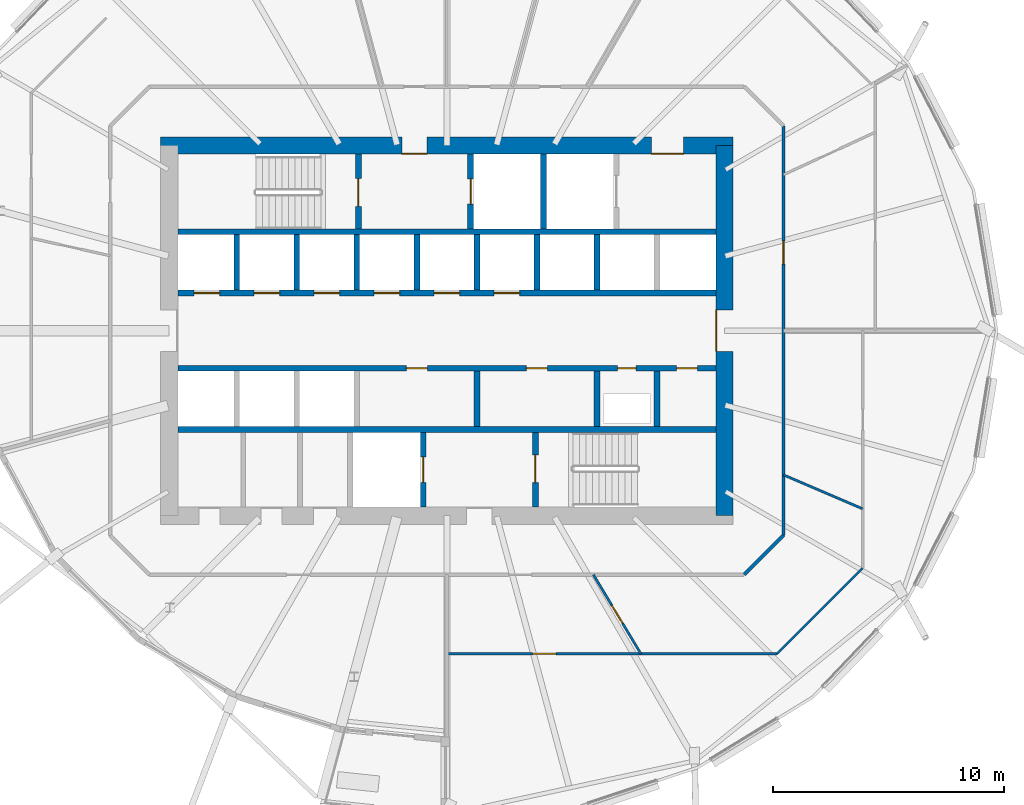
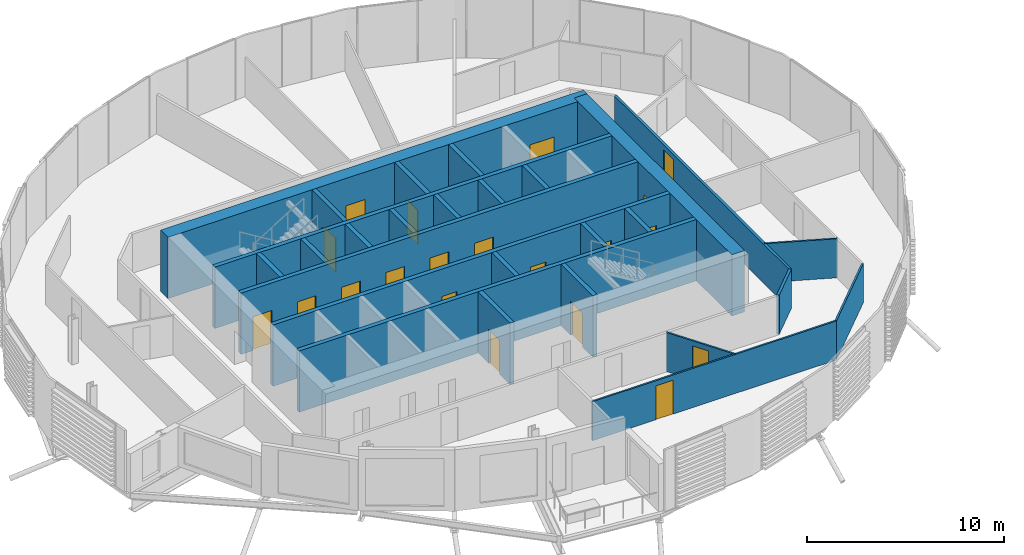
# One storey, part 23 of 43: 27 walls, 20 doors, 20 openings.
"""IFC4 building model written with IfcOpenShell, lengths in metres."""

import ifcopenshell
import ifcopenshell.guid

model = None  # the IFC model being written
_history = None  # IfcOwnerHistory: only IFC2X3 demands one
_inside = {}  # id of a spatial element -> (the spatial element, [elements in it])
_under = {}  # id of a project, library or spatial element -> (it, [spatial elements below it])
_declared = {}  # id of a project -> (the project, [libraries it declares])
_typed = {}  # id of a type object -> (the type object, [elements of that type])
_made_of = {}  # id of a material, layer set ... -> (it, [elements and type objects made of it])


def new_model(schema):
    """Start an empty IFC model of exactly this schema.

    Asked for "IFC4X3", IfcOpenShell would pick the latest addendum, in which some entities
    have other attributes; the version numbers below select the first issue.
    IFC2X3 requires an IfcOwnerHistory on every rooted entity: one is made here for all.
    """
    global model, _history
    if schema == "IFC4X3":
        model = ifcopenshell.file(schema_version=(4, 3, 0, 0))
    else:
        model = ifcopenshell.file(schema=schema)
    _inside.clear()
    _under.clear()
    _declared.clear()
    _typed.clear()
    _made_of.clear()
    _history = None
    if model.schema == "IFC2X3":
        org = make("IfcOrganization", Name="unknown")
        user = make(
            "IfcPersonAndOrganization",
            ThePerson=make("IfcPerson", FamilyName="unknown"),
            TheOrganization=org,
        )
        app = make(
            "IfcApplication",
            ApplicationDeveloper=org,
            Version="unknown",
            ApplicationFullName="unknown",
            ApplicationIdentifier="unknown",
        )
        _history = make(
            "IfcOwnerHistory",
            OwningUser=user,
            OwningApplication=app,
            ChangeAction="ADDED",
            CreationDate=0,
        )
    return model


def make(cls, **values):
    """One entity of the class cls with the attributes given. An attribute that is None is left unset."""
    return model.create_entity(
        cls, **{name: value for name, value in values.items() if value is not None}
    )


def rooted(cls, **values):
    """An entity with a GlobalId (a new one), such as an element, a storey or a relation."""
    return make(cls, GlobalId=ifcopenshell.guid.new(), OwnerHistory=_history, **values)


def si_unit(unit_type, name, prefix=None):
    """IfcSIUnit, for example si_unit("LENGTHUNIT", "METRE", prefix="MILLI")."""
    return make("IfcSIUnit", UnitType=unit_type, Prefix=prefix, Name=name)


def assignment(units):
    """IfcUnitAssignment: the units of a project."""
    return None if units is None else make("IfcUnitAssignment", Units=units)


def point(xyz):
    """IfcCartesianPoint."""
    return None if xyz is None else make("IfcCartesianPoint", Coordinates=xyz)


def direction(xyz):
    """IfcDirection."""
    return None if xyz is None else make("IfcDirection", DirectionRatios=xyz)


def frame(location, z_axis=None, x_axis=None):
    """IfcAxis2Placement3D, a coordinate frame: its origin and axes. An axis left out is left unset."""
    return make(
        "IfcAxis2Placement3D",
        Location=point(location),
        Axis=direction(z_axis),
        RefDirection=direction(x_axis),
    )


def frame_2d(location, x_axis=None):
    """IfcAxis2Placement2D, a coordinate frame in the plane: its origin and x axis."""
    return make(
        "IfcAxis2Placement2D", Location=point(location), RefDirection=direction(x_axis)
    )


def origin():
    """The frame at (0, 0, 0) with its axes left unset."""
    return frame((0.0, 0.0, 0.0))


def place(relative_to, where):
    """IfcLocalPlacement: puts the frame where relative to a parent placement (None: the world)."""
    return make(
        "IfcLocalPlacement", PlacementRelTo=relative_to, RelativePlacement=where
    )


def context(
    kind, dimensions, precision=None, world=None, true_north=None, identifier=None
):
    """IfcGeometricRepresentationContext, for example the 3D "Model" context."""
    return make(
        "IfcGeometricRepresentationContext",
        ContextIdentifier=identifier,
        ContextType=kind,
        CoordinateSpaceDimension=dimensions,
        Precision=precision,
        WorldCoordinateSystem=world,
        TrueNorth=true_north,
    )


def subcontext(parent, identifier, kind, view, scale=None):
    """IfcGeometricRepresentationSubContext, for example "Body" below "Model"."""
    return make(
        "IfcGeometricRepresentationSubContext",
        ContextIdentifier=identifier,
        ContextType=kind,
        ParentContext=parent,
        TargetScale=scale,
        TargetView=view,
    )


def project(units=None, contexts=None):
    """IfcProject with its units and contexts."""
    return rooted(
        "IfcProject",
        Name="project",
        RepresentationContexts=contexts,
        UnitsInContext=assignment(units),
    )


def spatial(cls, under=None, at=None, **own):
    """A site, building, storey or space (cls), placed at a placement, below another one or the project."""
    s = rooted(cls, ObjectPlacement=at, **own)
    if under is not None:
        _under.setdefault(under.id(), (under, []))[1].append(s)
    return s


def profile(cls, at=None, kind="AREA", **sizes):
    """A parametric profile (cls). Its sizes go by their IFC names, for example OverallWidth=200.0."""
    return make(cls, ProfileType=kind, Position=at, **sizes)


def rectangle(**sizes):
    """IfcRectangleProfileDef."""
    return profile("IfcRectangleProfileDef", **sizes)


def extrude(swept, where, along, depth):
    """IfcExtrudedAreaSolid: the profile swept, set in the frame where, extruded along a direction by depth."""
    return make(
        "IfcExtrudedAreaSolid",
        SweptArea=swept,
        Position=where,
        ExtrudedDirection=direction(along),
        Depth=depth,
    )


def shape(context_of_items, identifier, shape_type, items):
    """IfcShapeRepresentation: the items that make up one representation, for example the "Body"."""
    return make(
        "IfcShapeRepresentation",
        ContextOfItems=context_of_items,
        RepresentationIdentifier=identifier,
        RepresentationType=shape_type,
        Items=items,
    )


def material(Name=None, Category=None):
    """IfcMaterial."""
    return make("IfcMaterial", Name=Name, Category=Category)


def layer(
    of_material, thickness, ventilated=None, Name=None, Category=None, Priority=None
):
    """IfcMaterialLayer: one layer of a wall or slab, of a material (None: an air gap)."""
    return make(
        "IfcMaterialLayer",
        Material=of_material,
        LayerThickness=thickness,
        IsVentilated=ventilated,
        Name=Name,
        Category=Category,
        Priority=Priority,
    )


def layer_set(layers, Name=None):
    """IfcMaterialLayerSet."""
    return make("IfcMaterialLayerSet", MaterialLayers=layers, LayerSetName=Name)


def made_of(thing, what):
    """Note that an element or type object is made of a material, layer set ...; save() writes the relation."""
    if what is not None:
        _made_of.setdefault(what.id(), (what, []))[1].append(thing)
    return thing


def type_object(cls, material=None, **own):
    """A type object (cls), such as IfcWallType, which elements share."""
    return made_of(rooted(cls, **own), material)


def element(
    cls,
    number,
    at=None,
    inside=None,
    cuts=None,
    type_object=None,
    material=None,
    context=None,
    identifier="Body",
    shape_type=None,
    held_by="IfcProductDefinitionShape",
    body=None,
    shapes=None,
    **own,
):
    """One element of the class cls, such as IfcWall. Its Tag is "e" and its number.

    at: its placement. inside: the storey or other place that contains it. cuts: it is an
    opening in that element (IfcRelVoidsElement). A single representation is given by context,
    identifier, shape_type and body (its items); several are given by shapes. held_by: the class
    of the entity that holds the representations. save() writes the other relations.
    """
    e = rooted(cls, Tag="e%d" % number, ObjectPlacement=at, **own)
    if body is not None:
        shapes = [shape(context, identifier, shape_type, body)]
    if shapes is not None:
        e.Representation = make(held_by, Representations=shapes)
    if inside is not None:
        _inside.setdefault(inside.id(), (inside, []))[1].append(e)
    if cuts is not None:
        rooted(
            "IfcRelVoidsElement", RelatingBuildingElement=cuts, RelatedOpeningElement=e
        )
    if type_object is not None:
        _typed.setdefault(type_object.id(), (type_object, []))[1].append(e)
    return made_of(e, material)


def fill(opening, filler):
    """IfcRelFillsElement: the door or window that sits in an opening."""
    return rooted(
        "IfcRelFillsElement",
        RelatingOpeningElement=opening,
        RelatedBuildingElement=filler,
    )


def aggregate(whole, parts):
    """IfcRelAggregates: a whole, such as a stair, and the parts it consists of."""
    return rooted("IfcRelAggregates", RelatingObject=whole, RelatedObjects=parts)


def save(model, path):
    """Write the relations noted so far, then the file.

    IfcRelAggregates (storeys below a building ...), IfcRelContainedInSpatialStructure (elements
    in a storey), IfcRelDefinesByType, IfcRelAssociatesMaterial and IfcRelDeclares: one each for
    every whole, place, type object, material and project.
    """
    for whole, parts in _under.values():
        aggregate(whole, parts)
    for where, things in _inside.values():
        rooted(
            "IfcRelContainedInSpatialStructure",
            RelatedElements=things,
            RelatingStructure=where,
        )
    for kind, things in _typed.values():
        rooted("IfcRelDefinesByType", RelatedObjects=things, RelatingType=kind)
    for what, things in _made_of.values():
        rooted("IfcRelAssociatesMaterial", RelatedObjects=things, RelatingMaterial=what)
    for by, libraries in _declared.values():
        rooted("IfcRelDeclares", RelatingContext=by, RelatedDefinitions=libraries)
    model.write(path)


model = new_model("IFC4")

# Units and contexts
model_context = context("Model", 3, precision=1e-05, world=origin(), true_north=direction((0.0, 1.0)))
body_context = subcontext(model_context, "Body", "Model", "MODEL_VIEW")
ifc_project = project(units=[si_unit("LENGTHUNIT", "METRE"), si_unit("AREAUNIT", "SQUARE_METRE"), si_unit("VOLUMEUNIT", "CUBIC_METRE"), si_unit("PLANEANGLEUNIT", "RADIAN"), si_unit("MASSUNIT", "GRAM", prefix="KILO")], contexts=[model_context])

# Site, building, storey
site_placement = place(None, origin())
site = spatial("IfcSite", under=ifc_project, at=site_placement, CompositionType="ELEMENT")
building_placement = place(site_placement, origin())
building = spatial("IfcBuilding", under=site, at=building_placement, Name="Rimbun Link Towers", CompositionType="ELEMENT")
storey_placement = place(building_placement, frame((0.0, 0.0, 81.60009765625)))
storey = spatial("IfcBuildingStorey", under=building, at=storey_placement, Name="L19", CompositionType="ELEMENT", Elevation=81.60009765625)

# Wall, openings, doors
ifc_material_1 = material(Name="Concrete C60/75", Category="concrete")
ifc_layer_1 = layer(ifc_material_1, 0.75)
ifc_layer_set_1 = layer_set([ifc_layer_1], Name="Core shear wall 750")
wall_type_1 = type_object("IfcWallType", Name="Core shear wall 750", PredefinedType="SHEAR", material=ifc_layer_set_1)
wall_1_placement = place(storey_placement, frame((-44.125, 8.0, 0.0), z_axis=(0.0, 0.0, 1.0), x_axis=(1.0, 0.0, 0.0)))
wall_1 = element("IfcWall", 1, at=wall_1_placement, inside=storey, type_object=wall_type_1, Name="L19 T1 core wall N", PredefinedType="SHEAR", context=body_context, shape_type="SweptSolid", body=[
    extrude(rectangle(XDim=24.75, YDim=0.75, at=frame_2d((12.375, 0.0))), origin(), (0.0, 0.0, 1.0), 3.7998046875),
])
opening_1_placement = place(wall_1_placement, frame((10.425048828125, 0.0, 0.0)))
opening_1 = element("IfcOpeningElement", 2, at=opening_1_placement, cuts=wall_1, Name="Opening C1DCF01N", PredefinedType="OPENING", context=body_context, shape_type="SweptSolid", body=[
    extrude(rectangle(XDim=1.10009765625, YDim=2.10009765625, at=frame_2d((0.550048828125, 1.050048828125))), frame((0.0, 0.385009765625, 0.0), z_axis=(0.0, -1.0, 0.0), x_axis=(1.0, 0.0, 0.0)), (0.0, 0.0, 1.0), 0.77001953125),
])
opening_2_placement = place(wall_1_placement, frame((21.21240234375, 0.0, 0.0)))
opening_2 = element("IfcOpeningElement", 3, at=opening_2_placement, cuts=wall_1, Name="Opening C1DSL02N", PredefinedType="OPENING", context=body_context, shape_type="SweptSolid", body=[
    extrude(rectangle(XDim=1.39990234375, YDim=2.10009765625, at=frame_2d((0.699951171875, 1.050048828125))), frame((0.0, 0.385009765625, 0.0), z_axis=(0.0, -1.0, 0.0), x_axis=(1.0, 0.0, 0.0)), (0.0, 0.0, 1.0), 0.77001953125),
])
ifc_material_2 = material(Name="Steel fire door set", Category="steel")
door_type_1 = type_object("IfcDoorType", Name="Core fire door single", OperationType="SINGLE_SWING_LEFT", PredefinedType="DOOR", material=ifc_material_2)
door_1_placement = place(opening_1_placement, origin())
door_1 = element("IfcDoor", 4, at=door_1_placement, inside=storey, type_object=door_type_1, Name="L19 T1 firefighting lobby n door", OperationType="SINGLE_SWING_LEFT", OverallHeight=2.10009765625, OverallWidth=1.10009765625, PredefinedType="DOOR", context=body_context, shape_type="SweptSolid", body=[
    extrude(rectangle(XDim=1.10009765625, YDim=2.10009765625, at=frame_2d((0.550048828125, 1.050048828125))), frame((0.0, -0.3251953125, 0.0), z_axis=(0.0, -1.0, 0.0), x_axis=(1.0, 0.0, 0.0)), (0.0, 0.0, 1.0), 0.050048828125),
])
fill(opening_1, door_1)
ifc_material_3 = material(Name="Steel fire door set", Category="steel")
door_type_2 = type_object("IfcDoorType", Name="Service lobby door double", OperationType="DOUBLE_DOOR_SINGLE_SWING", PredefinedType="DOOR", material=ifc_material_3)
door_2_placement = place(opening_2_placement, origin())
door_2 = element("IfcDoor", 5, at=door_2_placement, inside=storey, type_object=door_type_2, Name="L19 T1 service lobby door", OperationType="DOUBLE_DOOR_SINGLE_SWING", OverallHeight=2.10009765625, OverallWidth=1.39990234375, PredefinedType="DOOR", context=body_context, shape_type="SweptSolid", body=[
    extrude(rectangle(XDim=1.39990234375, YDim=2.10009765625, at=frame_2d((0.699951171875, 1.050048828125))), frame((0.0, -0.3251953125, 0.0), z_axis=(0.0, -1.0, 0.0), x_axis=(1.0, 0.0, 0.0)), (0.0, 0.0, 1.0), 0.050048828125),
])
fill(opening_2, door_2)

# Wall, opening, door
wall_2_placement = place(storey_placement, frame((-19.75, -8.0, 0.0), z_axis=(0.0, 0.0, 1.0), x_axis=(0.0, 1.0, 0.0)))
wall_2 = element("IfcWall", 6, at=wall_2_placement, inside=storey, type_object=wall_type_1, Name="L19 T1 core wall E", PredefinedType="SHEAR", context=body_context, shape_type="SweptSolid", body=[
    extrude(rectangle(XDim=16.0, YDim=0.75, at=frame_2d((8.0, 0.0))), origin(), (0.0, 0.0, 1.0), 3.7998046875),
])
opening_3_placement = place(wall_2_placement, frame((7.10009765625, 0.0, 0.0)))
opening_3 = element("IfcOpeningElement", 7, at=opening_3_placement, cuts=wall_2, Name="Opening C1DCL01E", PredefinedType="OPENING", context=body_context, shape_type="SweptSolid", body=[
    extrude(rectangle(XDim=1.800048828125, YDim=2.10009765625, at=frame_2d((0.89990234375, 1.050048828125))), frame((0.0, 0.385009765625, 0.0), z_axis=(0.0, -1.0, 0.0), x_axis=(1.0, 0.0, 0.0)), (0.0, 0.0, 1.0), 0.77001953125),
])
ifc_material_4 = material(Name="Steel fire door set", Category="steel")
door_type_3 = type_object("IfcDoorType", Name="Core lobby door double", OperationType="DOUBLE_DOOR_SINGLE_SWING", PredefinedType="DOOR", material=ifc_material_4)
door_3_placement = place(opening_3_placement, origin())
door_3 = element("IfcDoor", 8, at=door_3_placement, inside=storey, type_object=door_type_3, Name="L19 T1 lift lobby door", OperationType="DOUBLE_DOOR_SINGLE_SWING", OverallHeight=2.10009765625, OverallWidth=1.800048828125, PredefinedType="DOOR", context=body_context, shape_type="SweptSolid", body=[
    extrude(rectangle(XDim=1.800048828125, YDim=2.10009765625, at=frame_2d((0.89990234375, 1.050048828125))), frame((0.0, 0.375, 0.0), z_axis=(0.0, -1.0, 0.0), x_axis=(1.0, 0.0, 0.0)), (0.0, 0.0, 1.0), 0.050048828125),
])
fill(opening_3, door_3)

ifc_material_5 = material(Name="Plasterboard on steel stud, mineral wool", Category="steel")
ifc_layer_2 = layer(ifc_material_5, 0.14990234375)
ifc_layer_set_2 = layer_set([ifc_layer_2], Name="Corridor wall EI 30 150 mm")
wall_type_2 = type_object("IfcWallType", Name="Corridor wall EI 30 150 mm", PredefinedType="PARTITIONING", material=ifc_layer_set_2)
wall_3_placement = place(storey_placement, frame((-17.199951171875, 8.851806640625, 0.0), z_axis=(0.0, 0.0, 1.0), x_axis=(0.0, -1.0, 0.0)))
wall_3 = element("IfcWall", 9, at=wall_3_placement, inside=storey, type_object=wall_type_2, Name="Corridor wall EI 30 150 mm", PredefinedType="PARTITIONING", context=body_context, shape_type="SweptSolid", body=[
    extrude(rectangle(XDim=17.70361328125, YDim=0.14990234375, at=frame_2d((8.851806640625, 0.0))), origin(), (0.0, 0.0, 1.0), 2.419921875),
])
opening_4_placement = place(wall_3_placement, frame((4.982666015625, 0.0, 0.0)))
opening_4 = element("IfcOpeningElement", 10, at=opening_4_placement, cuts=wall_3, Name="Opening D01", PredefinedType="OPENING", context=body_context, shape_type="SweptSolid", body=[
    extrude(rectangle(XDim=1.0, YDim=2.10009765625, at=frame_2d((0.5, 1.050048828125))), frame((0.0, 0.0849609375, 0.0), z_axis=(0.0, -1.0, 0.0), x_axis=(1.0, 0.0, 0.0)), (0.0, 0.0, 1.0), 0.169921875),
])
ifc_material_6 = material(Name="Fire-resisting timber door leaf", Category="wood")
door_type_4 = type_object("IfcDoorType", Name="Fire door FD30S 1000", OperationType="NOTDEFINED", PredefinedType="DOOR", material=ifc_material_6)
door_4_placement = place(opening_4_placement, origin())
door_4 = element("IfcDoor", 11, at=door_4_placement, inside=storey, type_object=door_type_4, Name="Fire door FD30S 1000 to Reception", OperationType="SINGLE_SWING_RIGHT", OverallHeight=2.10009765625, OverallWidth=1.0, PredefinedType="DOOR", context=body_context, shape_type="SweptSolid", body=[
    extrude(rectangle(XDim=1.0, YDim=2.10009765625, at=frame_2d((0.5, 1.050048828125))), frame((0.0, 0.02490234375, 0.0), z_axis=(0.0, -1.0, 0.0), x_axis=(1.0, 0.0, 0.0)), (0.0, 0.0, 1.0), 0.050048828125),
])
fill(opening_4, door_4)

# Wall
wall_4_placement = place(storey_placement, frame((-18.898193359375, -10.550048828125, 0.0), z_axis=(0.0, 0.0, 1.0), x_axis=(0.707106781187, 0.707106781187, 0.0)))
element("IfcWall", 12, at=wall_4_placement, inside=storey, type_object=wall_type_2, Name="Corridor wall EI 30 150 mm", PredefinedType="PARTITIONING", context=body_context, shape_type="SweptSolid", body=[
    extrude(rectangle(XDim=2.401611328125, YDim=0.14990234375, at=frame_2d((1.20068359375, 0.0))), origin(), (0.0, 0.0, 1.0), 2.419921875),
])

# Wall, opening, door
ifc_material_7 = material(Name="Plasterboard on steel stud", Category="steel")
ifc_layer_3 = layer(ifc_material_7, 0.10009765625)
ifc_layer_set_3 = layer_set([ifc_layer_3], Name="Plasterboard partition 100 mm")
wall_type_3 = type_object("IfcWallType", Name="Plasterboard partition 100 mm", PredefinedType="PARTITIONING", material=ifc_layer_set_3)
wall_5_placement = place(storey_placement, frame((-25.415283203125, -10.550048828125, 0.0), z_axis=(0.0, 0.0, 1.0), x_axis=(0.514774739867, -0.857325473315, 0.0)))
wall_5 = element("IfcWall", 13, at=wall_5_placement, inside=storey, type_object=wall_type_3, Name="Plasterboard partition 100 mm", PredefinedType="PARTITIONING", context=body_context, shape_type="SweptSolid", body=[
    extrude(rectangle(XDim=3.989013671875, YDim=0.10009765625, at=frame_2d((1.99462890625, 0.0))), origin(), (0.0, 0.0, 1.0), 2.419921875),
])
opening_5_placement = place(wall_5_placement, frame((1.544677734375, 0.0, 0.0)))
opening_5 = element("IfcOpeningElement", 14, at=opening_5_placement, cuts=wall_5, Name="Opening D04", PredefinedType="OPENING", context=body_context, shape_type="SweptSolid", body=[
    extrude(rectangle(XDim=0.89990234375, YDim=2.10009765625, at=frame_2d((0.449951171875, 1.050048828125))), frame((0.0, 0.06005859375, 0.0), z_axis=(0.0, -1.0, 0.0), x_axis=(1.0, 0.0, 0.0)), (0.0, 0.0, 1.0), 0.1201171875),
])
ifc_material_8 = material(Name="Timber door leaf", Category="wood")
door_type_5 = type_object("IfcDoorType", Name="Flush door 900", OperationType="NOTDEFINED", PredefinedType="DOOR", material=ifc_material_8)
door_5_placement = place(opening_5_placement, origin())
door_5 = element("IfcDoor", 15, at=door_5_placement, inside=storey, type_object=door_type_5, Name="Flush door 900 to Meeting room", OperationType="SINGLE_SWING_RIGHT", OverallHeight=2.10009765625, OverallWidth=0.89990234375, PredefinedType="DOOR", context=body_context, shape_type="SweptSolid", body=[
    extrude(rectangle(XDim=0.89990234375, YDim=2.10009765625, at=frame_2d((0.449951171875, 1.050048828125))), frame((0.0, 0.02490234375, 0.0), z_axis=(0.0, -1.0, 0.0), x_axis=(1.0, 0.0, 0.0)), (0.0, 0.0, 1.0), 0.050048828125),
])
fill(opening_5, door_5)

wall_6_placement = place(storey_placement, frame((-17.481689453125, -13.969970703125, 0.0), z_axis=(0.0, 0.0, 1.0), x_axis=(-1.0, 0.0, 0.0)))
wall_6 = element("IfcWall", 16, at=wall_6_placement, inside=storey, type_object=wall_type_3, Name="Plasterboard partition 100 mm", PredefinedType="PARTITIONING", context=body_context, shape_type="SweptSolid", body=[
    extrude(rectangle(XDim=14.268310546875, YDim=0.10009765625, at=frame_2d((7.13427734375, 0.0))), origin(), (0.0, 0.0, 1.0), 2.419921875),
])
opening_6_placement = place(wall_6_placement, frame((9.55908203125, 0.0, 0.0)))
opening_6 = element("IfcOpeningElement", 17, at=opening_6_placement, cuts=wall_6, Name="Opening D03", PredefinedType="OPENING", context=body_context, shape_type="SweptSolid", body=[
    extrude(rectangle(XDim=1.0, YDim=2.10009765625, at=frame_2d((0.5, 1.050048828125))), frame((0.0, 0.06005859375, 0.0), z_axis=(0.0, -1.0, 0.0), x_axis=(1.0, 0.0, 0.0)), (0.0, 0.0, 1.0), 0.1201171875),
])
ifc_material_9 = material(Name="Timber door leaf", Category="wood")
door_type_6 = type_object("IfcDoorType", Name="Flush door 1000", OperationType="NOTDEFINED", PredefinedType="DOOR", material=ifc_material_9)
door_6_placement = place(opening_6_placement, origin())
door_6 = element("IfcDoor", 18, at=door_6_placement, inside=storey, type_object=door_type_6, Name="Flush door 1000 to Open office", OperationType="SINGLE_SWING_LEFT", OverallHeight=2.10009765625, OverallWidth=1.0, PredefinedType="DOOR", context=body_context, shape_type="SweptSolid", body=[
    extrude(rectangle(XDim=1.0, YDim=2.10009765625, at=frame_2d((0.5, 1.050048828125))), frame((0.0, 0.02490234375, 0.0), z_axis=(0.0, -1.0, 0.0), x_axis=(1.0, 0.0, 0.0)), (0.0, 0.0, 1.0), 0.050048828125),
])
fill(opening_6, door_6)

# Walls
wall_7_placement = place(storey_placement, frame((-13.780029296875, -7.701904296875, 0.0), z_axis=(0.0, 0.0, 1.0), x_axis=(-0.919131454006, 0.393950974433, 0.0)))
element("IfcWall", 19, at=wall_7_placement, inside=storey, type_object=wall_type_3, Name="Plasterboard partition 100 mm", PredefinedType="PARTITIONING", context=body_context, shape_type="SweptSolid", body=[
    extrude(rectangle(XDim=3.720703125, YDim=0.10009765625, at=frame_2d((1.8603515625, 0.0))), origin(), (0.0, 0.0, 1.0), 2.419921875),
])
wall_8_placement = place(storey_placement, frame((-17.481689453125, -13.969970703125, 0.0), z_axis=(0.0, 0.0, 1.0), x_axis=(0.707106781187, 0.707106781187, 0.0)))
element("IfcWall", 20, at=wall_8_placement, inside=storey, type_object=wall_type_3, Name="Plasterboard partition 100 mm", PredefinedType="PARTITIONING", context=body_context, shape_type="SweptSolid", body=[
    extrude(rectangle(XDim=5.23486328125, YDim=0.10009765625, at=frame_2d((2.617431640625, 0.0))), origin(), (0.0, 0.0, 1.0), 2.419921875),
])
ifc_material_10 = material(Name="Concrete C60/75", Category="concrete")
ifc_layer_4 = layer(ifc_material_10, 0.25)
ifc_layer_set_4 = layer_set([ifc_layer_4], Name="Shaft wall 250")
wall_type_4 = type_object("IfcWallType", Name="Shaft wall 250", PredefinedType="SHEAR", material=ifc_layer_set_4)
for number, where, z_axis, x_axis, name in (
    (21, (-43.375, 4.27490234375, 0.0), (0.0, 0.0, 1.0), (1.0, 0.0, 0.0), "L19 T1 core wall BN"),
    (22, (-43.375, -4.27490234375, 0.0), (0.0, 0.0, 1.0), (1.0, 0.0, 0.0), "L19 T1 core wall BS"),
):
    element("IfcWall", number, at=place(storey_placement, frame(where, z_axis=z_axis, x_axis=x_axis)), inside=storey, type_object=wall_type_4, Name=name, PredefinedType="SHEAR", context=body_context, shape_type="SweptSolid", body=[
        extrude(rectangle(XDim=23.25, YDim=0.25, at=frame_2d((11.625, 0.0))), origin(), (0.0, 0.0, 1.0), 3.7998046875),
    ])

# Wall, openings, doors
wall_9_placement = place(storey_placement, frame((-43.375, 1.625, 0.0), z_axis=(0.0, 0.0, 1.0), x_axis=(1.0, 0.0, 0.0)))
wall_9 = element("IfcWall", 23, at=wall_9_placement, inside=storey, type_object=wall_type_4, Name="L19 T1 core wall FN", PredefinedType="SHEAR", context=body_context, shape_type="SweptSolid", body=[
    extrude(rectangle(XDim=23.25, YDim=0.25, at=frame_2d((11.625, 0.0))), origin(), (0.0, 0.0, 1.0), 3.7998046875),
])
opening_7_placement = place(wall_9_placement, frame((0.697265625, 0.0, 0.0)))
opening_7 = element("IfcOpeningElement", 24, at=opening_7_placement, cuts=wall_9, Name="Opening LD-T1-LR1", PredefinedType="OPENING", context=body_context, shape_type="SweptSolid", body=[
    extrude(rectangle(XDim=1.10009765625, YDim=2.10009765625, at=frame_2d((0.550048828125, 1.050048828125))), frame((0.0, 0.135009765625, 0.0), z_axis=(0.0, -1.0, 0.0), x_axis=(1.0, 0.0, 0.0)), (0.0, 0.0, 1.0), 0.27001953125),
])
opening_8_placement = place(wall_9_placement, frame((3.291748046875, 0.0, 0.0)))
opening_8 = element("IfcOpeningElement", 25, at=opening_8_placement, cuts=wall_9, Name="Opening LD-T1-LR2", PredefinedType="OPENING", context=body_context, shape_type="SweptSolid", body=[
    extrude(rectangle(XDim=1.10009765625, YDim=2.10009765625, at=frame_2d((0.550048828125, 1.050048828125))), frame((0.0, 0.135009765625, 0.0), z_axis=(0.0, -1.0, 0.0), x_axis=(1.0, 0.0, 0.0)), (0.0, 0.0, 1.0), 0.27001953125),
])
opening_9_placement = place(wall_9_placement, frame((5.885986328125, 0.0, 0.0)))
opening_9 = element("IfcOpeningElement", 26, at=opening_9_placement, cuts=wall_9, Name="Opening LD-T1-LR3", PredefinedType="OPENING", context=body_context, shape_type="SweptSolid", body=[
    extrude(rectangle(XDim=1.10009765625, YDim=2.10009765625, at=frame_2d((0.550048828125, 1.050048828125))), frame((0.0, 0.135009765625, 0.0), z_axis=(0.0, -1.0, 0.0), x_axis=(1.0, 0.0, 0.0)), (0.0, 0.0, 1.0), 0.27001953125),
])
opening_10_placement = place(wall_9_placement, frame((8.480712890625, 0.0, 0.0)))
opening_10 = element("IfcOpeningElement", 27, at=opening_10_placement, cuts=wall_9, Name="Opening LD-T1-LR4", PredefinedType="OPENING", context=body_context, shape_type="SweptSolid", body=[
    extrude(rectangle(XDim=1.10009765625, YDim=2.10009765625, at=frame_2d((0.550048828125, 1.050048828125))), frame((0.0, 0.135009765625, 0.0), z_axis=(0.0, -1.0, 0.0), x_axis=(1.0, 0.0, 0.0)), (0.0, 0.0, 1.0), 0.27001953125),
])
opening_11_placement = place(wall_9_placement, frame((11.074951171875, 0.0, 0.0)))
opening_11 = element("IfcOpeningElement", 28, at=opening_11_placement, cuts=wall_9, Name="Opening LD-T1-LR5", PredefinedType="OPENING", context=body_context, shape_type="SweptSolid", body=[
    extrude(rectangle(XDim=1.10009765625, YDim=2.10009765625, at=frame_2d((0.550048828125, 1.050048828125))), frame((0.0, 0.135009765625, 0.0), z_axis=(0.0, -1.0, 0.0), x_axis=(1.0, 0.0, 0.0)), (0.0, 0.0, 1.0), 0.27001953125),
])
opening_12_placement = place(wall_9_placement, frame((13.66943359375, 0.0, 0.0)))
opening_12 = element("IfcOpeningElement", 29, at=opening_12_placement, cuts=wall_9, Name="Opening LD-T1-LR6", PredefinedType="OPENING", context=body_context, shape_type="SweptSolid", body=[
    extrude(rectangle(XDim=1.10009765625, YDim=2.10009765625, at=frame_2d((0.550048828125, 1.050048828125))), frame((0.0, 0.135009765625, 0.0), z_axis=(0.0, -1.0, 0.0), x_axis=(1.0, 0.0, 0.0)), (0.0, 0.0, 1.0), 0.27001953125),
])
ifc_material_11 = material(Name="Stainless steel grade 316", Category="steel")
door_type_7 = type_object("IfcDoorType", Name="Lift landing door", OperationType="DOUBLE_DOOR_SLIDING", PredefinedType="DOOR", material=ifc_material_11)
door_7_placement = place(opening_7_placement, origin())
door_7 = element("IfcDoor", 30, at=door_7_placement, inside=storey, type_object=door_type_7, Name="L19 T1 lift LR1 landing door", OperationType="DOUBLE_DOOR_SLIDING", OverallHeight=2.10009765625, OverallWidth=1.10009765625, PredefinedType="DOOR", context=body_context, shape_type="SweptSolid", body=[
    extrude(rectangle(XDim=1.10009765625, YDim=2.10009765625, at=frame_2d((0.550048828125, 1.050048828125))), frame((0.0, 0.02490234375, 0.0), z_axis=(0.0, -1.0, 0.0), x_axis=(1.0, 0.0, 0.0)), (0.0, 0.0, 1.0), 0.050048828125),
])
fill(opening_7, door_7)
door_8_placement = place(opening_8_placement, origin())
door_8 = element("IfcDoor", 31, at=door_8_placement, inside=storey, type_object=door_type_7, Name="L19 T1 lift LR2 landing door", OperationType="DOUBLE_DOOR_SLIDING", OverallHeight=2.10009765625, OverallWidth=1.10009765625, PredefinedType="DOOR", context=body_context, shape_type="SweptSolid", body=[
    extrude(rectangle(XDim=1.10009765625, YDim=2.10009765625, at=frame_2d((0.550048828125, 1.050048828125))), frame((0.0, 0.02490234375, 0.0), z_axis=(0.0, -1.0, 0.0), x_axis=(1.0, 0.0, 0.0)), (0.0, 0.0, 1.0), 0.050048828125),
])
fill(opening_8, door_8)
door_9_placement = place(opening_9_placement, origin())
door_9 = element("IfcDoor", 32, at=door_9_placement, inside=storey, type_object=door_type_7, Name="L19 T1 lift LR3 landing door", OperationType="DOUBLE_DOOR_SLIDING", OverallHeight=2.10009765625, OverallWidth=1.10009765625, PredefinedType="DOOR", context=body_context, shape_type="SweptSolid", body=[
    extrude(rectangle(XDim=1.10009765625, YDim=2.10009765625, at=frame_2d((0.550048828125, 1.050048828125))), frame((0.0, 0.02490234375, 0.0), z_axis=(0.0, -1.0, 0.0), x_axis=(1.0, 0.0, 0.0)), (0.0, 0.0, 1.0), 0.050048828125),
])
fill(opening_9, door_9)
door_10_placement = place(opening_10_placement, origin())
door_10 = element("IfcDoor", 33, at=door_10_placement, inside=storey, type_object=door_type_7, Name="L19 T1 lift LR4 landing door", OperationType="DOUBLE_DOOR_SLIDING", OverallHeight=2.10009765625, OverallWidth=1.10009765625, PredefinedType="DOOR", context=body_context, shape_type="SweptSolid", body=[
    extrude(rectangle(XDim=1.10009765625, YDim=2.10009765625, at=frame_2d((0.550048828125, 1.050048828125))), frame((0.0, 0.02490234375, 0.0), z_axis=(0.0, -1.0, 0.0), x_axis=(1.0, 0.0, 0.0)), (0.0, 0.0, 1.0), 0.050048828125),
])
fill(opening_10, door_10)
door_11_placement = place(opening_11_placement, origin())
door_11 = element("IfcDoor", 34, at=door_11_placement, inside=storey, type_object=door_type_7, Name="L19 T1 lift LR5 landing door", OperationType="DOUBLE_DOOR_SLIDING", OverallHeight=2.10009765625, OverallWidth=1.10009765625, PredefinedType="DOOR", context=body_context, shape_type="SweptSolid", body=[
    extrude(rectangle(XDim=1.10009765625, YDim=2.10009765625, at=frame_2d((0.550048828125, 1.050048828125))), frame((0.0, 0.02490234375, 0.0), z_axis=(0.0, -1.0, 0.0), x_axis=(1.0, 0.0, 0.0)), (0.0, 0.0, 1.0), 0.050048828125),
])
fill(opening_11, door_11)
door_12_placement = place(opening_12_placement, origin())
door_12 = element("IfcDoor", 35, at=door_12_placement, inside=storey, type_object=door_type_7, Name="L19 T1 lift LR6 landing door", OperationType="DOUBLE_DOOR_SLIDING", OverallHeight=2.10009765625, OverallWidth=1.10009765625, PredefinedType="DOOR", context=body_context, shape_type="SweptSolid", body=[
    extrude(rectangle(XDim=1.10009765625, YDim=2.10009765625, at=frame_2d((0.550048828125, 1.050048828125))), frame((0.0, 0.02490234375, 0.0), z_axis=(0.0, -1.0, 0.0), x_axis=(1.0, 0.0, 0.0)), (0.0, 0.0, 1.0), 0.050048828125),
])
fill(opening_12, door_12)

wall_10_placement = place(storey_placement, frame((-43.375, -1.625, 0.0), z_axis=(0.0, 0.0, 1.0), x_axis=(1.0, 0.0, 0.0)))
wall_10 = element("IfcWall", 36, at=wall_10_placement, inside=storey, type_object=wall_type_4, Name="L19 T1 core wall FS", PredefinedType="SHEAR", context=body_context, shape_type="SweptSolid", body=[
    extrude(rectangle(XDim=23.25, YDim=0.25, at=frame_2d((11.625, 0.0))), origin(), (0.0, 0.0, 1.0), 3.7998046875),
])
opening_13_placement = place(wall_10_placement, frame((9.877685546875, 0.0, 0.0)))
opening_13 = element("IfcOpeningElement", 37, at=opening_13_placement, cuts=wall_10, Name="Opening C1DRS01FS", PredefinedType="OPENING", context=body_context, shape_type="SweptSolid", body=[
    extrude(rectangle(XDim=0.89990234375, YDim=2.10009765625, at=frame_2d((0.449951171875, 1.050048828125))), frame((0.0, 0.135009765625, 0.0), z_axis=(0.0, -1.0, 0.0), x_axis=(1.0, 0.0, 0.0)), (0.0, 0.0, 1.0), 0.27001953125),
])
opening_14_placement = place(wall_10_placement, frame((15.066650390625, 0.0, 0.0)))
opening_14 = element("IfcOpeningElement", 38, at=opening_14_placement, cuts=wall_10, Name="Opening C1DRS02FS", PredefinedType="OPENING", context=body_context, shape_type="SweptSolid", body=[
    extrude(rectangle(XDim=0.89990234375, YDim=2.10009765625, at=frame_2d((0.449951171875, 1.050048828125))), frame((0.0, 0.135009765625, 0.0), z_axis=(0.0, -1.0, 0.0), x_axis=(1.0, 0.0, 0.0)), (0.0, 0.0, 1.0), 0.27001953125),
])
opening_15_placement = place(wall_10_placement, frame((19.00830078125, 0.0, 0.0)))
opening_15 = element("IfcOpeningElement", 39, at=opening_15_placement, cuts=wall_10, Name="Opening C1DRA03FS", PredefinedType="OPENING", context=body_context, shape_type="SweptSolid", body=[
    extrude(rectangle(XDim=0.800048828125, YDim=2.10009765625, at=frame_2d((0.39990234375, 1.050048828125))), frame((0.0, 0.135009765625, 0.0), z_axis=(0.0, -1.0, 0.0), x_axis=(1.0, 0.0, 0.0)), (0.0, 0.0, 1.0), 0.27001953125),
])
opening_16_placement = place(wall_10_placement, frame((21.552734375, 0.0, 0.0)))
opening_16 = element("IfcOpeningElement", 40, at=opening_16_placement, cuts=wall_10, Name="Opening C1DRS04FS", PredefinedType="OPENING", context=body_context, shape_type="SweptSolid", body=[
    extrude(rectangle(XDim=0.89990234375, YDim=2.10009765625, at=frame_2d((0.449951171875, 1.050048828125))), frame((0.0, 0.135009765625, 0.0), z_axis=(0.0, -1.0, 0.0), x_axis=(1.0, 0.0, 0.0)), (0.0, 0.0, 1.0), 0.27001953125),
])
ifc_material_12 = material(Name="Steel fire door set", Category="steel")
door_type_8 = type_object("IfcDoorType", Name="Core riser door", OperationType="SINGLE_SWING_LEFT", PredefinedType="DOOR", material=ifc_material_12)
door_13_placement = place(opening_13_placement, origin())
door_13 = element("IfcDoor", 41, at=door_13_placement, inside=storey, type_object=door_type_8, Name="L19 T1 archive store door", OperationType="SINGLE_SWING_RIGHT", OverallHeight=2.10009765625, OverallWidth=0.89990234375, PredefinedType="DOOR", context=body_context, shape_type="SweptSolid", body=[
    extrude(rectangle(XDim=0.89990234375, YDim=2.10009765625, at=frame_2d((0.449951171875, 1.050048828125))), frame((0.0, 0.02490234375, 0.0), z_axis=(0.0, -1.0, 0.0), x_axis=(1.0, 0.0, 0.0)), (0.0, 0.0, 1.0), 0.050048828125),
])
fill(opening_13, door_13)
door_14_placement = place(opening_14_placement, origin())
door_14 = element("IfcDoor", 42, at=door_14_placement, inside=storey, type_object=door_type_8, Name="L19 T1 pantry door", OperationType="SINGLE_SWING_LEFT", OverallHeight=2.10009765625, OverallWidth=0.89990234375, PredefinedType="DOOR", context=body_context, shape_type="SweptSolid", body=[
    extrude(rectangle(XDim=0.89990234375, YDim=2.10009765625, at=frame_2d((0.449951171875, 1.050048828125))), frame((0.0, 0.02490234375, 0.0), z_axis=(0.0, -1.0, 0.0), x_axis=(1.0, 0.0, 0.0)), (0.0, 0.0, 1.0), 0.050048828125),
])
fill(opening_14, door_14)
door_15_placement = place(opening_16_placement, origin())
door_15 = element("IfcDoor", 43, at=door_15_placement, inside=storey, type_object=door_type_8, Name="L19 T1 staff store door", OperationType="SINGLE_SWING_LEFT", OverallHeight=2.10009765625, OverallWidth=0.89990234375, PredefinedType="DOOR", context=body_context, shape_type="SweptSolid", body=[
    extrude(rectangle(XDim=0.89990234375, YDim=2.10009765625, at=frame_2d((0.449951171875, 1.050048828125))), frame((0.0, 0.02490234375, 0.0), z_axis=(0.0, -1.0, 0.0), x_axis=(1.0, 0.0, 0.0)), (0.0, 0.0, 1.0), 0.050048828125),
])
fill(opening_16, door_15)
ifc_material_13 = material(Name="Steel fire door set", Category="steel")
door_type_9 = type_object("IfcDoorType", Name="Riser access door 800 x 2100", OperationType="SINGLE_SWING_LEFT", PredefinedType="DOOR", material=ifc_material_13)
door_16_placement = place(opening_15_placement, origin())
door_16 = element("IfcDoor", 44, at=door_16_placement, inside=storey, type_object=door_type_9, Name="L19 T1 riser cupboard door", OperationType="SINGLE_SWING_LEFT", OverallHeight=2.10009765625, OverallWidth=0.800048828125, PredefinedType="DOOR", context=body_context, shape_type="SweptSolid", body=[
    extrude(rectangle(XDim=0.800048828125, YDim=2.10009765625, at=frame_2d((0.39990234375, 1.050048828125))), frame((0.0, 0.02490234375, 0.0), z_axis=(0.0, -1.0, 0.0), x_axis=(1.0, 0.0, 0.0)), (0.0, 0.0, 1.0), 0.050048828125),
])
fill(opening_15, door_16)

# Walls
for number, where, z_axis, x_axis, name in (
    (45, (-40.83056640625, 1.75, 0.0), (0.0, 0.0, 1.0), (0.0, 1.0, 0.0), "L19 T1 core wall DN0"),
    (46, (-38.236083984375, 1.75, 0.0), (0.0, 0.0, 1.0), (0.0, 1.0, 0.0), "L19 T1 core wall DN1"),
    (47, (-35.6416015625, 1.75, 0.0), (0.0, 0.0, 1.0), (0.0, 1.0, 0.0), "L19 T1 core wall DN2"),
    (48, (-33.047119140625, 1.75, 0.0), (0.0, 0.0, 1.0), (0.0, 1.0, 0.0), "L19 T1 core wall DN3"),
    (49, (-30.452880859375, 1.75, 0.0), (0.0, 0.0, 1.0), (0.0, 1.0, 0.0), "L19 T1 core wall DN4"),
    (50, (-27.8583984375, 1.75, 0.0), (0.0, 0.0, 1.0), (0.0, 1.0, 0.0), "L19 T1 core wall DN5"),
    (51, (-25.263916015625, 1.75, 0.0), (0.0, 0.0, 1.0), (0.0, 1.0, 0.0), "L19 T1 core wall DN6"),
    (52, (-30.452880859375, -4.14990234375, 0.0), (0.0, 0.0, 1.0), (0.0, 1.0, 0.0), "L19 T1 core wall DS4"),
    (53, (-25.263916015625, -4.14990234375, 0.0), (0.0, 0.0, 1.0), (0.0, 1.0, 0.0), "L19 T1 core wall DS6"),
    (54, (-22.66943359375, -4.14990234375, 0.0), (0.0, 0.0, 1.0), (0.0, 1.0, 0.0), "L19 T1 core wall DS7"),
):
    element("IfcWall", number, at=place(storey_placement, frame(where, z_axis=z_axis, x_axis=x_axis)), inside=storey, type_object=wall_type_4, Name=name, PredefinedType="SHEAR", context=body_context, shape_type="SweptSolid", body=[
        extrude(rectangle(XDim=2.39990234375, YDim=0.25, at=frame_2d((1.199951171875, 0.0))), origin(), (0.0, 0.0, 1.0), 3.7998046875),
    ])

# Wall, opening, door
wall_11_placement = place(storey_placement, frame((-35.574951171875, 4.39990234375, 0.0), z_axis=(0.0, 0.0, 1.0), x_axis=(0.0, 1.0, 0.0)))
wall_11 = element("IfcWall", 55, at=wall_11_placement, inside=storey, type_object=wall_type_4, Name="L19 T1 core wall A1", PredefinedType="SHEAR", context=body_context, shape_type="SweptSolid", body=[
    extrude(rectangle(XDim=3.22509765625, YDim=0.25, at=frame_2d((1.612548828125, 0.0))), origin(), (0.0, 0.0, 1.0), 3.7998046875),
])
opening_17_placement = place(wall_11_placement, frame((0.97509765625, 0.0, 0.0)))
opening_17 = element("IfcOpeningElement", 56, at=opening_17_placement, cuts=wall_11, Name="Opening C1DST01A1", PredefinedType="OPENING", context=body_context, shape_type="SweptSolid", body=[
    extrude(rectangle(XDim=1.199951171875, YDim=2.10009765625, at=frame_2d((0.60009765625, 1.050048828125))), frame((0.0, 0.135009765625, 0.0), z_axis=(0.0, -1.0, 0.0), x_axis=(1.0, 0.0, 0.0)), (0.0, 0.0, 1.0), 0.27001953125),
])
ifc_material_14 = material(Name="Steel fire door set", Category="steel")
door_type_10 = type_object("IfcDoorType", Name="Stair door", OperationType="SINGLE_SWING_LEFT", PredefinedType="DOOR", material=ifc_material_14)
door_17_placement = place(opening_17_placement, origin())
door_17 = element("IfcDoor", 57, at=door_17_placement, inside=storey, type_object=door_type_10, Name="L19 T1 stair a door", OperationType="SINGLE_SWING_RIGHT", OverallHeight=2.10009765625, OverallWidth=1.199951171875, PredefinedType="DOOR", context=body_context, shape_type="SweptSolid", body=[
    extrude(rectangle(XDim=1.199951171875, YDim=2.10009765625, at=frame_2d((0.60009765625, 1.050048828125))), frame((0.0, 0.02490234375, 0.0), z_axis=(0.0, -1.0, 0.0), x_axis=(1.0, 0.0, 0.0)), (0.0, 0.0, 1.0), 0.050048828125),
])
fill(opening_17, door_17)

wall_12_placement = place(storey_placement, frame((-30.72509765625, 4.39990234375, 0.0), z_axis=(0.0, 0.0, 1.0), x_axis=(0.0, 1.0, 0.0)))
wall_12 = element("IfcWall", 58, at=wall_12_placement, inside=storey, type_object=wall_type_4, Name="L19 T1 core wall A2", PredefinedType="SHEAR", context=body_context, shape_type="SweptSolid", body=[
    extrude(rectangle(XDim=3.22509765625, YDim=0.25, at=frame_2d((1.612548828125, 0.0))), origin(), (0.0, 0.0, 1.0), 3.7998046875),
])
opening_18_placement = place(wall_12_placement, frame((1.0625, 0.0, 0.0)))
opening_18 = element("IfcOpeningElement", 59, at=opening_18_placement, cuts=wall_12, Name="Opening LD-T1-FF1", PredefinedType="OPENING", context=body_context, shape_type="SweptSolid", body=[
    extrude(rectangle(XDim=1.10009765625, YDim=2.10009765625, at=frame_2d((0.550048828125, 1.050048828125))), frame((0.0, 0.135009765625, 0.0), z_axis=(0.0, -1.0, 0.0), x_axis=(1.0, 0.0, 0.0)), (0.0, 0.0, 1.0), 0.27001953125),
])
door_18_placement = place(opening_18_placement, origin())
door_18 = element("IfcDoor", 60, at=door_18_placement, inside=storey, type_object=door_type_7, Name="L19 T1 lift FF1 landing door", OperationType="DOUBLE_DOOR_SLIDING", OverallHeight=2.10009765625, OverallWidth=1.10009765625, PredefinedType="DOOR", context=body_context, shape_type="SweptSolid", body=[
    extrude(rectangle(XDim=1.10009765625, YDim=2.10009765625, at=frame_2d((0.550048828125, 1.050048828125))), frame((0.0, 0.02490234375, 0.0), z_axis=(0.0, -1.0, 0.0), x_axis=(1.0, 0.0, 0.0)), (0.0, 0.0, 1.0), 0.050048828125),
])
fill(opening_18, door_18)

# Wall
wall_13_placement = place(storey_placement, frame((-27.574951171875, 4.39990234375, 0.0), z_axis=(0.0, 0.0, 1.0), x_axis=(0.0, 1.0, 0.0)))
element("IfcWall", 61, at=wall_13_placement, inside=storey, type_object=wall_type_4, Name="L19 T1 core wall A3", PredefinedType="SHEAR", context=body_context, shape_type="SweptSolid", body=[
    extrude(rectangle(XDim=3.22509765625, YDim=0.25, at=frame_2d((1.612548828125, 0.0))), origin(), (0.0, 0.0, 1.0), 3.7998046875),
])

# Wall, opening, door
wall_14_placement = place(storey_placement, frame((-27.925048828125, -4.39990234375, 0.0), z_axis=(0.0, 0.0, 1.0), x_axis=(0.0, -1.0, 0.0)))
wall_14 = element("IfcWall", 62, at=wall_14_placement, inside=storey, type_object=wall_type_4, Name="L19 T1 core wall B1", PredefinedType="SHEAR", context=body_context, shape_type="SweptSolid", body=[
    extrude(rectangle(XDim=3.22509765625, YDim=0.25, at=frame_2d((1.612548828125, 0.0))), origin(), (0.0, 0.0, 1.0), 3.7998046875),
])
opening_19_placement = place(wall_14_placement, frame((0.97509765625, 0.0, 0.0)))
opening_19 = element("IfcOpeningElement", 63, at=opening_19_placement, cuts=wall_14, Name="Opening C1DST01B1", PredefinedType="OPENING", context=body_context, shape_type="SweptSolid", body=[
    extrude(rectangle(XDim=1.199951171875, YDim=2.10009765625, at=frame_2d((0.60009765625, 1.050048828125))), frame((0.0, 0.135009765625, 0.0), z_axis=(0.0, -1.0, 0.0), x_axis=(1.0, 0.0, 0.0)), (0.0, 0.0, 1.0), 0.27001953125),
])
door_19_placement = place(opening_19_placement, origin())
door_19 = element("IfcDoor", 64, at=door_19_placement, inside=storey, type_object=door_type_10, Name="L19 T1 stair b door", OperationType="SINGLE_SWING_RIGHT", OverallHeight=2.10009765625, OverallWidth=1.199951171875, PredefinedType="DOOR", context=body_context, shape_type="SweptSolid", body=[
    extrude(rectangle(XDim=1.199951171875, YDim=2.10009765625, at=frame_2d((0.60009765625, 1.050048828125))), frame((0.0, 0.02490234375, 0.0), z_axis=(0.0, -1.0, 0.0), x_axis=(1.0, 0.0, 0.0)), (0.0, 0.0, 1.0), 0.050048828125),
])
fill(opening_19, door_19)

wall_15_placement = place(storey_placement, frame((-32.77490234375, -4.39990234375, 0.0), z_axis=(0.0, 0.0, 1.0), x_axis=(0.0, -1.0, 0.0)))
wall_15 = element("IfcWall", 65, at=wall_15_placement, inside=storey, type_object=wall_type_4, Name="L19 T1 core wall B2", PredefinedType="SHEAR", context=body_context, shape_type="SweptSolid", body=[
    extrude(rectangle(XDim=3.22509765625, YDim=0.25, at=frame_2d((1.612548828125, 0.0))), origin(), (0.0, 0.0, 1.0), 3.7998046875),
])
opening_20_placement = place(wall_15_placement, frame((1.0625, 0.0, 0.0)))
opening_20 = element("IfcOpeningElement", 66, at=opening_20_placement, cuts=wall_15, Name="Opening LD-T1-FF2", PredefinedType="OPENING", context=body_context, shape_type="SweptSolid", body=[
    extrude(rectangle(XDim=1.10009765625, YDim=2.10009765625, at=frame_2d((0.550048828125, 1.050048828125))), frame((0.0, 0.135009765625, 0.0), z_axis=(0.0, -1.0, 0.0), x_axis=(1.0, 0.0, 0.0)), (0.0, 0.0, 1.0), 0.27001953125),
])
door_20_placement = place(opening_20_placement, origin())
door_20 = element("IfcDoor", 67, at=door_20_placement, inside=storey, type_object=door_type_7, Name="L19 T1 lift FF2 landing door", OperationType="DOUBLE_DOOR_SLIDING", OverallHeight=2.10009765625, OverallWidth=1.10009765625, PredefinedType="DOOR", context=body_context, shape_type="SweptSolid", body=[
    extrude(rectangle(XDim=1.10009765625, YDim=2.10009765625, at=frame_2d((0.550048828125, 1.050048828125))), frame((0.0, 0.02490234375, 0.0), z_axis=(0.0, -1.0, 0.0), x_axis=(1.0, 0.0, 0.0)), (0.0, 0.0, 1.0), 0.050048828125),
])
fill(opening_20, door_20)

save(model, "model.ifc")
